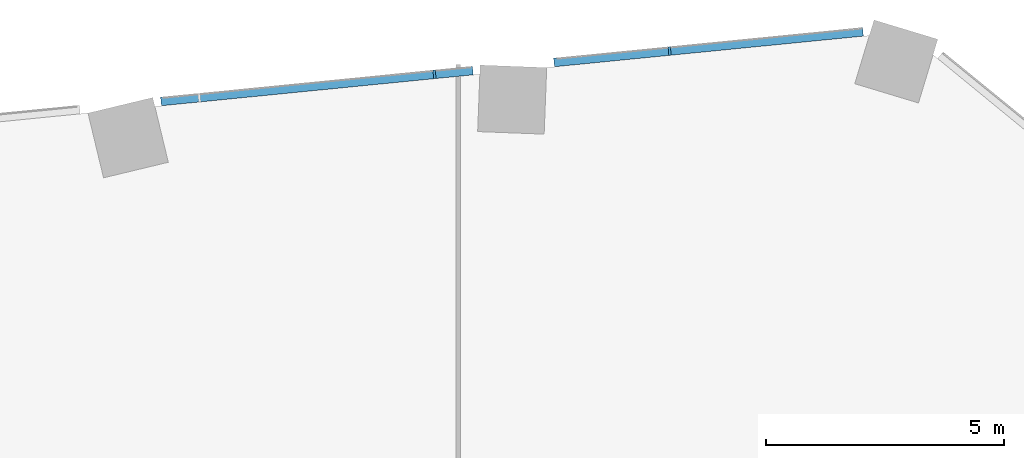
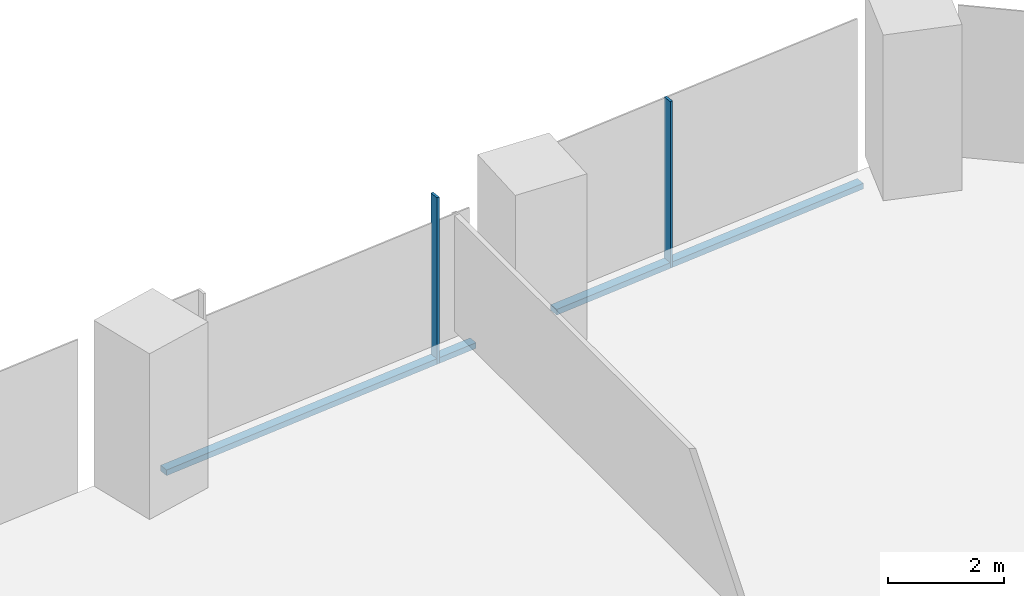
# One storey, part 13 of 33: 4 members, 1 element without a shape of its own.
"""IFC4 building model written with IfcOpenShell, lengths in metres."""

from ifc_helpers import new_model, si_unit, direction, frame, origin, origin_2d, place, context, subcontext, project, spatial, rectangle, extrude, material, material_profile, profile_set, type_object, element, aggregate, save


model = new_model("IFC4")

# Units and contexts
model_context = context("Model", 3, precision=1e-05, world=origin(), true_north=direction((0.0, 1.0)))
body_context = subcontext(model_context, "Body", "Model", "MODEL_VIEW")
ifc_project = project(units=[si_unit("LENGTHUNIT", "METRE"), si_unit("AREAUNIT", "SQUARE_METRE"), si_unit("VOLUMEUNIT", "CUBIC_METRE"), si_unit("PLANEANGLEUNIT", "RADIAN"), si_unit("MASSUNIT", "GRAM", prefix="KILO")], contexts=[model_context])

# Site, building, storey
site_placement = place(None, origin())
site = spatial("IfcSite", under=ifc_project, at=site_placement, CompositionType="ELEMENT")
building_placement = place(site_placement, origin())
building = spatial("IfcBuilding", under=site, at=building_placement, Name="Orlundy Tower", CompositionType="ELEMENT")
storey_placement = place(building_placement, frame((0.0, 0.0, 51.300048828125)))
storey = spatial("IfcBuildingStorey", under=building, at=storey_placement, Name="L11", CompositionType="ELEMENT", Elevation=51.300048828125)

# Curtain wall, members
ifc_material_1 = material(Name="Aluminium bronze anodised", Category="aluminium")
curtain_wall_type = type_object("IfcCurtainWallType", Name="CW1 wall", PredefinedType="NOTDEFINED", material=ifc_material_1)
curtain_wall_placement = place(storey_placement, origin())
curtain_wall = element("IfcCurtainWall", 1, at=curtain_wall_placement, inside=storey, type_object=curtain_wall_type, Name="CW1 run 03", PredefinedType="NOTDEFINED")
ifc_material_2 = material(Name="Aluminium bronze anodised", Category="aluminium")
ifc_material_profile_1 = material_profile(ifc_material_2, rectangle(XDim=0.179931640625, YDim=0.050048828125, at=origin_2d()), Name="CW1 mullion 50x180")
ifc_profile_set_1 = profile_set([ifc_material_profile_1], Name="Aluminium bronze anodised")
member_type_1 = type_object("IfcMemberType", Name="CW1 mullion 50x180", PredefinedType="MULLION", material=ifc_profile_set_1)
member_1_placement = place(storey_placement, frame((-0.498291015625, 30.18798828125, -0.420166015625), z_axis=(0.0, 0.0, 1.0), x_axis=(-0.098742763424, 0.995112991912, 0.0)))
member_1 = element("IfcMember", 2, at=member_1_placement, type_object=member_type_1, Name="CW1 mullion 17", PredefinedType="MULLION", context=body_context, shape_type="SweptSolid", body=[
    extrude(rectangle(XDim=0.179931640625, YDim=0.050048828125, at=origin_2d()), origin(), (0.0, 0.0, 1.0), 3.52001953125),
])
member_2_placement = place(storey_placement, frame((4.447998046875, 30.6787109375, -0.420166015625), z_axis=(0.0, 0.0, 1.0), x_axis=(-0.098742763424, 0.995112991912, 0.0)))
member_2 = element("IfcMember", 3, at=member_2_placement, type_object=member_type_1, Name="CW1 mullion 18", PredefinedType="MULLION", context=body_context, shape_type="SweptSolid", body=[
    extrude(rectangle(XDim=0.179931640625, YDim=0.050048828125, at=origin_2d()), origin(), (0.0, 0.0, 1.0), 3.52001953125),
])
ifc_material_3 = material(Name="Aluminium bronze anodised", Category="aluminium")
ifc_material_profile_2 = material_profile(ifc_material_3, rectangle(XDim=0.179931640625, YDim=0.1201171875, at=origin_2d()), Name="CW1 transom 180x120")
ifc_profile_set_2 = profile_set([ifc_material_profile_2], Name="Aluminium bronze anodised")
member_type_2 = type_object("IfcMemberType", Name="CW1 transom 180x120", PredefinedType="USERDEFINED", material=ifc_profile_set_2)
member_3_placement = place(storey_placement, frame((-6.2509765625, 29.6171875, -0.360107421875), z_axis=(0.995113533405, 0.098737306191, 0.0), x_axis=(-0.098737306191, 0.995113533405, 0.0)))
member_3 = element("IfcMember", 4, at=member_3_placement, type_object=member_type_2, Name="CW1 transom", ObjectType="TRANSOM", PredefinedType="USERDEFINED", context=body_context, shape_type="SweptSolid", body=[
    extrude(rectangle(XDim=0.179931640625, YDim=0.1201171875, at=origin_2d()), origin(), (0.0, 0.0, 1.0), 6.592041015625),
])
member_4_placement = place(storey_placement, frame((2.0166015625, 30.4375, -0.360107421875), z_axis=(0.995114612043, 0.098726434651, 0.0), x_axis=(-0.098726434651, 0.995114612043, 0.0)))
member_4 = element("IfcMember", 5, at=member_4_placement, type_object=member_type_2, Name="CW1 transom", ObjectType="TRANSOM", PredefinedType="USERDEFINED", context=body_context, shape_type="SweptSolid", body=[
    extrude(rectangle(XDim=0.179931640625, YDim=0.1201171875, at=origin_2d()), origin(), (0.0, 0.0, 1.0), 6.531005859375),
])
aggregate(curtain_wall, [member_1, member_2, member_3, member_4])

save(model, "model.ifc")
